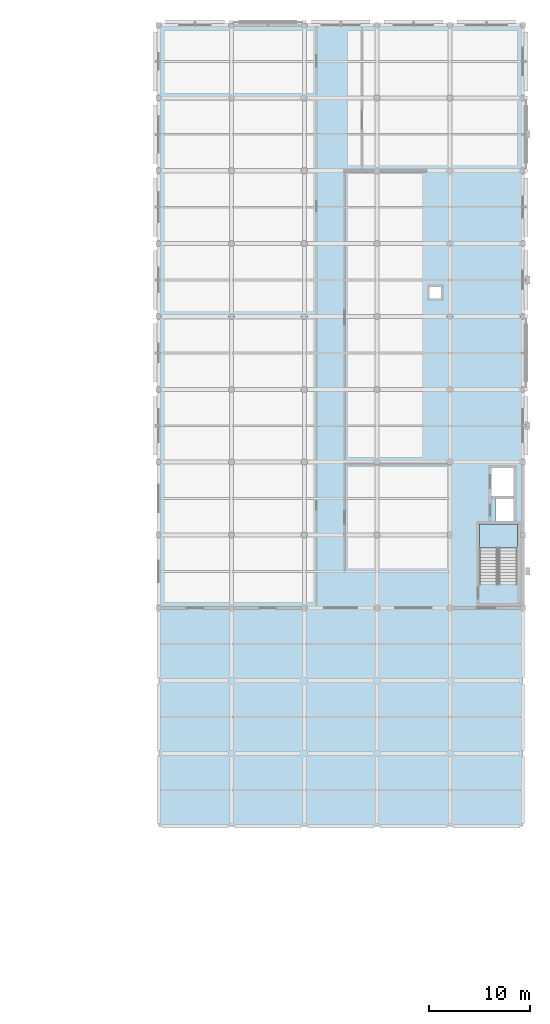
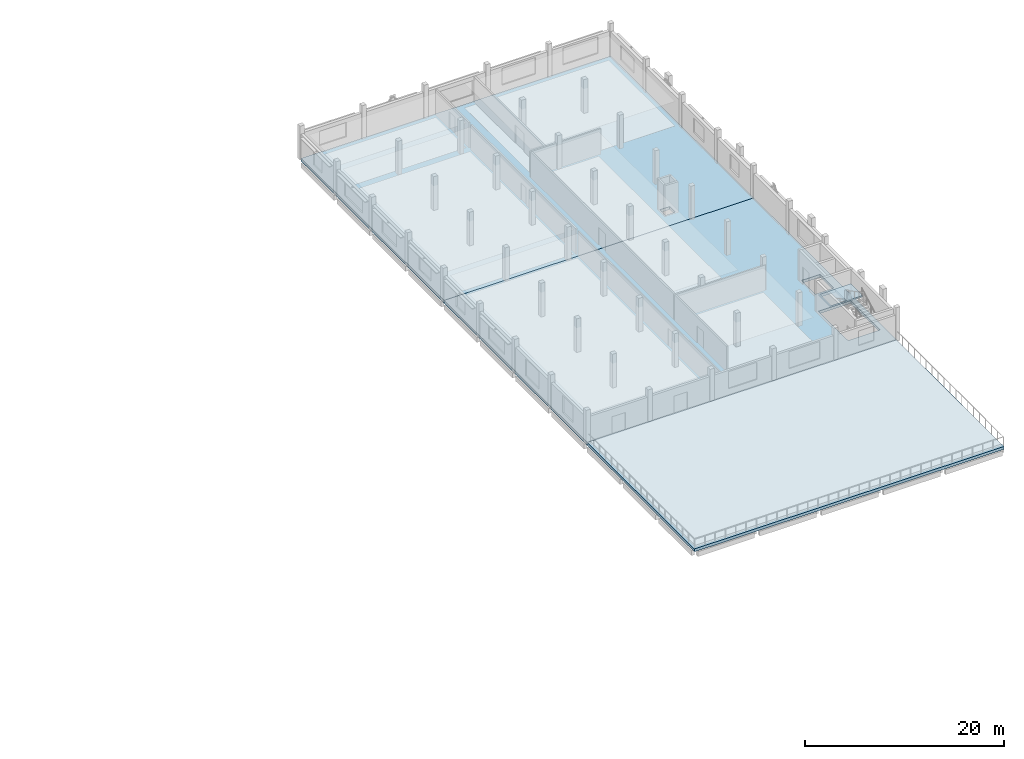
# One storey, part 18 of 33: 4 slabs, 1 element without a shape of its own.
"""IFC4 building model written with IfcOpenShell, lengths in metres."""

import ifcopenshell
import ifcopenshell.guid

model = None  # the IFC model being written
_history = None  # IfcOwnerHistory: only IFC2X3 demands one
_inside = {}  # id of a spatial element -> (the spatial element, [elements in it])
_under = {}  # id of a project, library or spatial element -> (it, [spatial elements below it])
_declared = {}  # id of a project -> (the project, [libraries it declares])
_typed = {}  # id of a type object -> (the type object, [elements of that type])
_made_of = {}  # id of a material, layer set ... -> (it, [elements and type objects made of it])


def new_model(schema):
    """Start an empty IFC model of exactly this schema.

    Asked for "IFC4X3", IfcOpenShell would pick the latest addendum, in which some entities
    have other attributes; the version numbers below select the first issue.
    IFC2X3 requires an IfcOwnerHistory on every rooted entity: one is made here for all.
    """
    global model, _history
    if schema == "IFC4X3":
        model = ifcopenshell.file(schema_version=(4, 3, 0, 0))
    else:
        model = ifcopenshell.file(schema=schema)
    _inside.clear()
    _under.clear()
    _declared.clear()
    _typed.clear()
    _made_of.clear()
    _history = None
    if model.schema == "IFC2X3":
        org = make("IfcOrganization", Name="unknown")
        user = make(
            "IfcPersonAndOrganization",
            ThePerson=make("IfcPerson", FamilyName="unknown"),
            TheOrganization=org,
        )
        app = make(
            "IfcApplication",
            ApplicationDeveloper=org,
            Version="unknown",
            ApplicationFullName="unknown",
            ApplicationIdentifier="unknown",
        )
        _history = make(
            "IfcOwnerHistory",
            OwningUser=user,
            OwningApplication=app,
            ChangeAction="ADDED",
            CreationDate=0,
        )
    return model


def make(cls, **values):
    """One entity of the class cls with the attributes given. An attribute that is None is left unset."""
    return model.create_entity(
        cls, **{name: value for name, value in values.items() if value is not None}
    )


def rooted(cls, **values):
    """An entity with a GlobalId (a new one), such as an element, a storey or a relation."""
    return make(cls, GlobalId=ifcopenshell.guid.new(), OwnerHistory=_history, **values)


def si_unit(unit_type, name, prefix=None):
    """IfcSIUnit, for example si_unit("LENGTHUNIT", "METRE", prefix="MILLI")."""
    return make("IfcSIUnit", UnitType=unit_type, Prefix=prefix, Name=name)


def assignment(units):
    """IfcUnitAssignment: the units of a project."""
    return None if units is None else make("IfcUnitAssignment", Units=units)


def point(xyz):
    """IfcCartesianPoint."""
    return None if xyz is None else make("IfcCartesianPoint", Coordinates=xyz)


def direction(xyz):
    """IfcDirection."""
    return None if xyz is None else make("IfcDirection", DirectionRatios=xyz)


def frame(location, z_axis=None, x_axis=None):
    """IfcAxis2Placement3D, a coordinate frame: its origin and axes. An axis left out is left unset."""
    return make(
        "IfcAxis2Placement3D",
        Location=point(location),
        Axis=direction(z_axis),
        RefDirection=direction(x_axis),
    )


def origin():
    """The frame at (0, 0, 0) with its axes left unset."""
    return frame((0.0, 0.0, 0.0))


def place(relative_to, where):
    """IfcLocalPlacement: puts the frame where relative to a parent placement (None: the world)."""
    return make(
        "IfcLocalPlacement", PlacementRelTo=relative_to, RelativePlacement=where
    )


def context(
    kind, dimensions, precision=None, world=None, true_north=None, identifier=None
):
    """IfcGeometricRepresentationContext, for example the 3D "Model" context."""
    return make(
        "IfcGeometricRepresentationContext",
        ContextIdentifier=identifier,
        ContextType=kind,
        CoordinateSpaceDimension=dimensions,
        Precision=precision,
        WorldCoordinateSystem=world,
        TrueNorth=true_north,
    )


def subcontext(parent, identifier, kind, view, scale=None):
    """IfcGeometricRepresentationSubContext, for example "Body" below "Model"."""
    return make(
        "IfcGeometricRepresentationSubContext",
        ContextIdentifier=identifier,
        ContextType=kind,
        ParentContext=parent,
        TargetScale=scale,
        TargetView=view,
    )


def project(units=None, contexts=None):
    """IfcProject with its units and contexts."""
    return rooted(
        "IfcProject",
        Name="project",
        RepresentationContexts=contexts,
        UnitsInContext=assignment(units),
    )


def spatial(cls, under=None, at=None, **own):
    """A site, building, storey or space (cls), placed at a placement, below another one or the project."""
    s = rooted(cls, ObjectPlacement=at, **own)
    if under is not None:
        _under.setdefault(under.id(), (under, []))[1].append(s)
    return s


def polyline(points):
    """IfcPolyline through the points."""
    return make("IfcPolyline", Points=[point(p) for p in points])


def outline(outer, holes=None, kind="AREA"):
    """IfcArbitraryClosedProfileDef: a profile drawn as a closed curve; with holes, ...WithVoids."""
    if holes is None:
        return make("IfcArbitraryClosedProfileDef", ProfileType=kind, OuterCurve=outer)
    return make(
        "IfcArbitraryProfileDefWithVoids",
        ProfileType=kind,
        OuterCurve=outer,
        InnerCurves=holes,
    )


def extrude(swept, where, along, depth):
    """IfcExtrudedAreaSolid: the profile swept, set in the frame where, extruded along a direction by depth."""
    return make(
        "IfcExtrudedAreaSolid",
        SweptArea=swept,
        Position=where,
        ExtrudedDirection=direction(along),
        Depth=depth,
    )


def shape(context_of_items, identifier, shape_type, items):
    """IfcShapeRepresentation: the items that make up one representation, for example the "Body"."""
    return make(
        "IfcShapeRepresentation",
        ContextOfItems=context_of_items,
        RepresentationIdentifier=identifier,
        RepresentationType=shape_type,
        Items=items,
    )


def material(Name=None, Category=None):
    """IfcMaterial."""
    return make("IfcMaterial", Name=Name, Category=Category)


def layer(
    of_material, thickness, ventilated=None, Name=None, Category=None, Priority=None
):
    """IfcMaterialLayer: one layer of a wall or slab, of a material (None: an air gap)."""
    return make(
        "IfcMaterialLayer",
        Material=of_material,
        LayerThickness=thickness,
        IsVentilated=ventilated,
        Name=Name,
        Category=Category,
        Priority=Priority,
    )


def layer_set(layers, Name=None):
    """IfcMaterialLayerSet."""
    return make("IfcMaterialLayerSet", MaterialLayers=layers, LayerSetName=Name)


def made_of(thing, what):
    """Note that an element or type object is made of a material, layer set ...; save() writes the relation."""
    if what is not None:
        _made_of.setdefault(what.id(), (what, []))[1].append(thing)
    return thing


def type_object(cls, material=None, **own):
    """A type object (cls), such as IfcWallType, which elements share."""
    return made_of(rooted(cls, **own), material)


def element(
    cls,
    number,
    at=None,
    inside=None,
    cuts=None,
    type_object=None,
    material=None,
    context=None,
    identifier="Body",
    shape_type=None,
    held_by="IfcProductDefinitionShape",
    body=None,
    shapes=None,
    **own,
):
    """One element of the class cls, such as IfcWall. Its Tag is "e" and its number.

    at: its placement. inside: the storey or other place that contains it. cuts: it is an
    opening in that element (IfcRelVoidsElement). A single representation is given by context,
    identifier, shape_type and body (its items); several are given by shapes. held_by: the class
    of the entity that holds the representations. save() writes the other relations.
    """
    e = rooted(cls, Tag="e%d" % number, ObjectPlacement=at, **own)
    if body is not None:
        shapes = [shape(context, identifier, shape_type, body)]
    if shapes is not None:
        e.Representation = make(held_by, Representations=shapes)
    if inside is not None:
        _inside.setdefault(inside.id(), (inside, []))[1].append(e)
    if cuts is not None:
        rooted(
            "IfcRelVoidsElement", RelatingBuildingElement=cuts, RelatedOpeningElement=e
        )
    if type_object is not None:
        _typed.setdefault(type_object.id(), (type_object, []))[1].append(e)
    return made_of(e, material)


def aggregate(whole, parts):
    """IfcRelAggregates: a whole, such as a stair, and the parts it consists of."""
    return rooted("IfcRelAggregates", RelatingObject=whole, RelatedObjects=parts)


def save(model, path):
    """Write the relations noted so far, then the file.

    IfcRelAggregates (storeys below a building ...), IfcRelContainedInSpatialStructure (elements
    in a storey), IfcRelDefinesByType, IfcRelAssociatesMaterial and IfcRelDeclares: one each for
    every whole, place, type object, material and project.
    """
    for whole, parts in _under.values():
        aggregate(whole, parts)
    for where, things in _inside.values():
        rooted(
            "IfcRelContainedInSpatialStructure",
            RelatedElements=things,
            RelatingStructure=where,
        )
    for kind, things in _typed.values():
        rooted("IfcRelDefinesByType", RelatedObjects=things, RelatingType=kind)
    for what, things in _made_of.values():
        rooted("IfcRelAssociatesMaterial", RelatedObjects=things, RelatingMaterial=what)
    for by, libraries in _declared.values():
        rooted("IfcRelDeclares", RelatingContext=by, RelatedDefinitions=libraries)
    model.write(path)


model = new_model("IFC4")

# Units and contexts
model_context = context("Model", 3, precision=1e-05, world=origin(), true_north=direction((0.0, 1.0)))
body_context = subcontext(model_context, "Body", "Model", "MODEL_VIEW")
ifc_project = project(units=[si_unit("LENGTHUNIT", "METRE"), si_unit("AREAUNIT", "SQUARE_METRE"), si_unit("VOLUMEUNIT", "CUBIC_METRE"), si_unit("PLANEANGLEUNIT", "RADIAN"), si_unit("MASSUNIT", "GRAM", prefix="KILO")], contexts=[model_context])

# Site, building, storey
site_placement = place(None, origin())
site = spatial("IfcSite", under=ifc_project, at=site_placement, CompositionType="ELEMENT")
building_placement = place(site_placement, origin())
building = spatial("IfcBuilding", under=site, at=building_placement, Name="Valkovuoma Quantum and Materials Research Institute", CompositionType="ELEMENT")
storey_placement = place(building_placement, frame((0.0, 0.0, 21.43994140625)))
storey = spatial("IfcBuildingStorey", under=building, at=storey_placement, Name="L05", CompositionType="ELEMENT", Elevation=21.43994140625)

# Slabs
ifc_material_1 = material(Name="Concrete C40/50", Category="concrete")
ifc_layer_1 = layer(ifc_material_1, 0.35009765625)
ifc_layer_set_1 = layer_set([ifc_layer_1], Name="Concrete C40/50")
slab_type_1 = type_object("IfcSlabType", Name="Slab-SL-FL350", PredefinedType="FLOOR", material=ifc_layer_set_1)
slab_1_placement = place(storey_placement, frame((0.0, 0.0, -0.349853515625)))
element("IfcSlab", 1, at=slab_1_placement, inside=storey, type_object=slab_type_1, Name="L05 vol4_wetlab structural slab 1", PredefinedType="FLOOR", context=body_context, shape_type="SweptSolid", body=[
    extrude(outline(polyline([(129.60009765625, 57.60009765625), (165.60009765625, 57.60009765625), (165.60009765625, 86.39990234375), (129.60009765625, 86.39990234375), (129.60009765625, 57.60009765625)]), holes=[polyline([(161.300048828125, 59.9599609375), (165.050048828125, 59.9599609375), (165.050048828125, 65.89990234375), (161.300048828125, 65.89990234375), (161.300048828125, 59.9599609375)]), polyline([(162.919921875, 66.1201171875), (164.679931640625, 66.1201171875), (164.679931640625, 68.3798828125), (162.919921875, 68.3798828125), (162.919921875, 66.1201171875)]), polyline([(162.52001953125, 68.669921875), (164.679931640625, 68.669921875), (164.679931640625, 71.429931640625), (162.52001953125, 71.429931640625), (162.52001953125, 68.669921875)])]), origin(), (0.0, 0.0, 1.0), 0.349853515625),
])
slab_2_placement = place(storey_placement, frame((0.0, 0.0, -0.349853515625)))
element("IfcSlab", 2, at=slab_2_placement, inside=storey, type_object=slab_type_1, Name="L05 vol4_wetlab structural slab 2", PredefinedType="FLOOR", context=body_context, shape_type="SweptSolid", body=[
    extrude(outline(polyline([(129.60009765625, 86.39990234375), (165.60009765625, 86.39990234375), (165.60009765625, 115.199951171875), (129.60009765625, 115.199951171875), (129.60009765625, 86.39990234375)]), holes=[polyline([(156.39990234375, 88.199951171875), (157.5, 88.199951171875), (157.5, 89.300048828125), (156.39990234375, 89.300048828125), (156.39990234375, 88.199951171875)])]), origin(), (0.0, 0.0, 1.0), 0.349853515625),
])

# Stair, slab
ifc_material_2 = material(Name="Concrete C40/50", Category="concrete")
stair_type = type_object("IfcStairType", Name="Stair-ST-COR", PredefinedType="HALF_TURN_STAIR", material=ifc_material_2)
stair_placement = place(storey_placement, origin())
stair = element("IfcStair", 3, at=stair_placement, inside=storey, type_object=stair_type, Name="L05 Exit Stair ST-3", PredefinedType="HALF_TURN_STAIR")
ifc_material_3 = material(Name="Concrete C40/50", Category="concrete")
ifc_layer_2 = layer(ifc_material_3, 0.199951171875)
ifc_layer_set_2 = layer_set([ifc_layer_2], Name="Concrete C40/50")
slab_type_2 = type_object("IfcSlabType", Name="Slab-SL-LND200", PredefinedType="LANDING", material=ifc_layer_set_2)
slab_3_placement = place(storey_placement, frame((0.0, 0.0, 1.880126953125)))
slab_3 = element("IfcSlab", 4, at=slab_3_placement, type_object=slab_type_2, Name="ST-3 landing 1", PredefinedType="LANDING", context=body_context, shape_type="SweptSolid", body=[
    extrude(outline(polyline([(165.050048828125, 63.5), (165.050048828125, 65.89990234375), (161.300048828125, 65.89990234375), (161.300048828125, 63.5), (165.050048828125, 63.5)])), origin(), (0.0, 0.0, 1.0), 0.199951171875),
])
aggregate(stair, [slab_3])

# Slab
ifc_material_4 = material(Name="Concrete C40/50", Category="concrete")
ifc_layer_3 = layer(ifc_material_4, 0.35009765625)
ifc_layer_set_3 = layer_set([ifc_layer_3], Name="Concrete C40/50")
slab_type_3 = type_object("IfcSlabType", Name="Slab-SL-TER350", PredefinedType="FLOOR", material=ifc_layer_set_3)
slab_4_placement = place(storey_placement, frame((0.0, 0.0, -0.349853515625)))
element("IfcSlab", 5, at=slab_4_placement, inside=storey, type_object=slab_type_3, Name="L05 outdoor deck ROOF_GARDEN_WET", PredefinedType="FLOOR", context=body_context, shape_type="SweptSolid", body=[
    extrude(outline(polyline([(129.60009765625, 36.0), (165.60009765625, 36.0), (165.60009765625, 57.60009765625), (129.60009765625, 57.60009765625), (129.60009765625, 36.0)])), origin(), (0.0, 0.0, 1.0), 0.349853515625),
])

save(model, "model.ifc")
